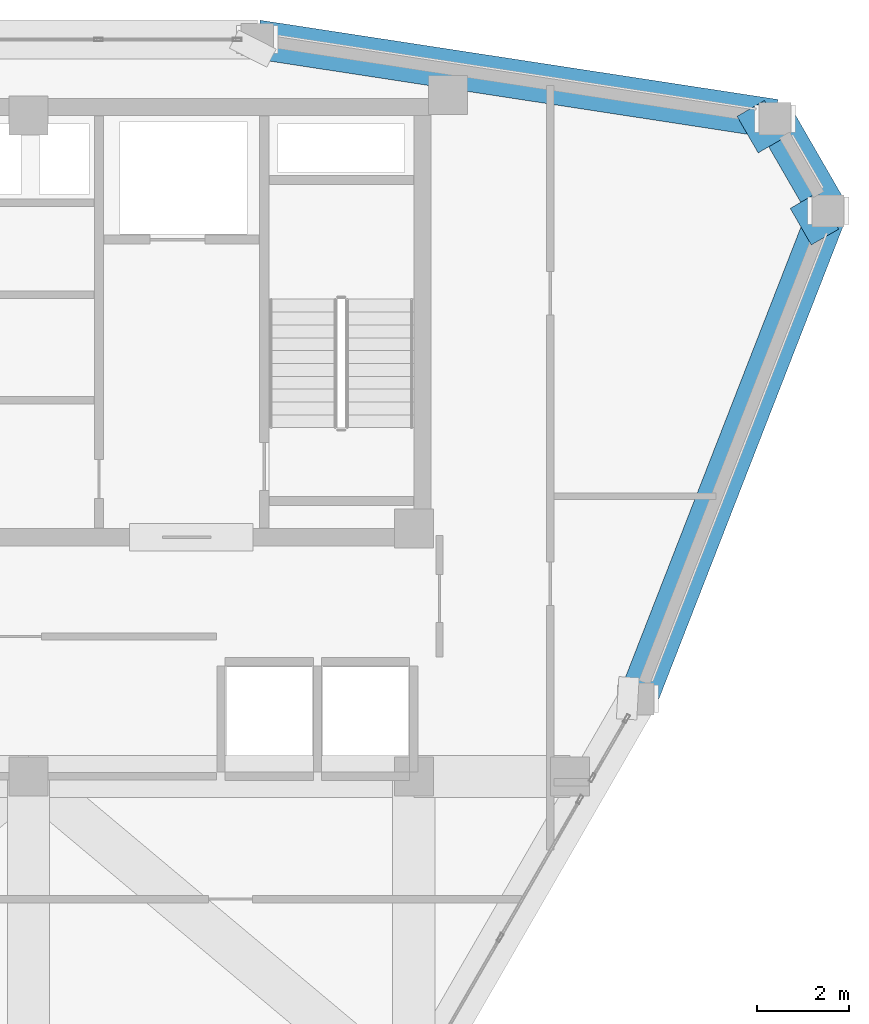
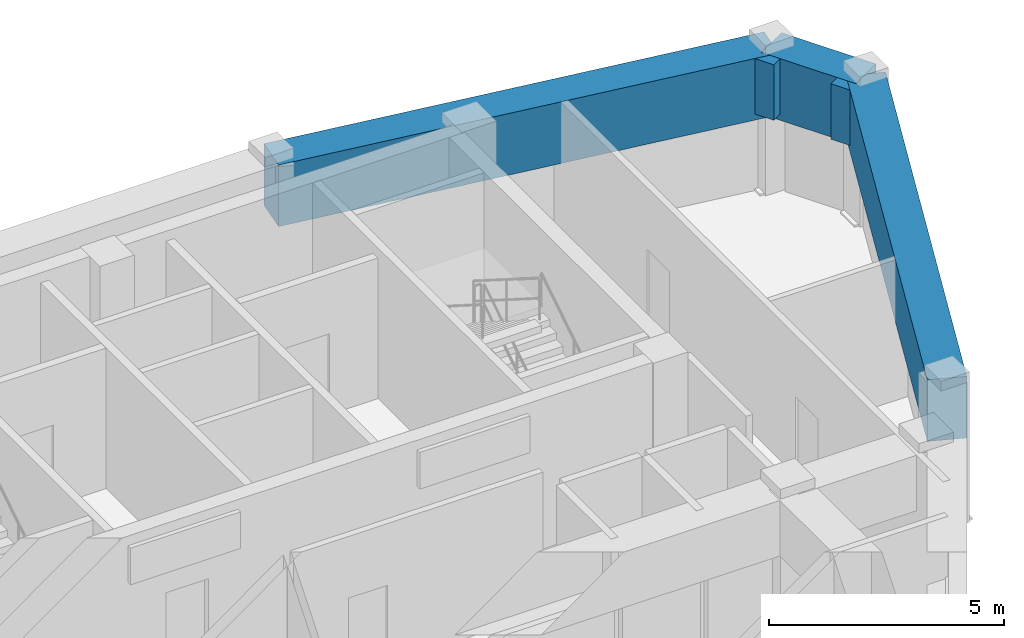
# One storey, part 8 of 13: 5 beams.
"""IFC4 building model written with IfcOpenShell, lengths in metres."""

from ifc_helpers import new_model, si_unit, derived_unit, direction, frame, origin, origin_2d, place, context, subcontext, project, spatial, rectangle, extrude, source, transform, mapped, material, material_profile, profile_set, type_object, element, save


model = new_model("IFC4")

# Units and contexts
model_context = context("Model", 3, precision=1e-05, world=origin(), true_north=direction((0.0, 1.0)))
body_context = subcontext(model_context, "Body", "Model", "MODEL_VIEW")
ifc_project = project(units=[si_unit("LENGTHUNIT", "METRE"), si_unit("AREAUNIT", "SQUARE_METRE"), si_unit("VOLUMEUNIT", "CUBIC_METRE"), si_unit("PLANEANGLEUNIT", "RADIAN"), si_unit("MASSUNIT", "GRAM", prefix="KILO"), derived_unit("THERMALTRANSMITTANCEUNIT", [(si_unit("POWERUNIT", "WATT"), 1), (si_unit("LENGTHUNIT", "METRE"), -2), (si_unit("THERMODYNAMICTEMPERATUREUNIT", "KELVIN"), -1)])], contexts=[model_context])

# Site, building, storey
site_placement = place(None, origin())
site = spatial("IfcSite", under=ifc_project, at=site_placement, CompositionType="ELEMENT")
building_placement = place(site_placement, origin())
building = spatial("IfcBuilding", under=site, at=building_placement, Name="Korsvarv Bourse and Concert Hall", CompositionType="ELEMENT")
storey_placement = place(building_placement, frame((0.0, 0.0, 292.199951171875)))
storey = spatial("IfcBuildingStorey", under=building, at=storey_placement, Name="L76", CompositionType="ELEMENT", Elevation=292.199951171875)

# Beams
ifc_material_1 = material(Name="Concrete C55/67", Category="concrete")
ifc_material_profile_1 = material_profile(ifc_material_1, rectangle(XDim=0.85009765625, YDim=1.60009765625, at=origin_2d()), Name="RC-BM 850x1600")
ifc_profile_set_1 = profile_set([ifc_material_profile_1], Name="Concrete C55/67")
beam_type_1 = type_object("IfcBeamType", Name="BM-TR1B", PredefinedType="BEAM", material=ifc_profile_set_1)
shared_shape_1 = source(origin(), body_context, "Body", "SweptSolid", [
    extrude(rectangle(XDim=0.85009765625, YDim=1.60009765625, at=origin_2d()), origin(), (0.0, 0.0, 1.0), 2.31689453125),
])
beam_placement = place(storey_placement, frame((53.43310546875, 44.727294921875, 2.85009765625), z_axis=(-0.499980886083, 0.866036438928, 0.0), x_axis=(-0.866036438928, -0.499980886083, 0.0)))
element("IfcBeam", 1, at=beam_placement, inside=storey, type_object=beam_type_1, Name="L76 beam B-TR2", PredefinedType="BEAM", context=body_context, shape_type="MappedRepresentation", body=[
    mapped(shared_shape_1, transform((0.0, 0.0, 0.0), scale=1.0)),
])
shared_shape_2 = source(origin(), body_context, "Body", "SweptSolid", [
    extrude(rectangle(XDim=0.85009765625, YDim=1.60009765625, at=origin_2d()), origin(), (0.0, 0.0, 1.0), 11.417236328125),
])
for number, where, z_axis, x_axis, name in (
    (2, (52.274658203125, 46.73388671875, 2.85009765625), (-0.988479724873, 0.151353339953, 0.0), (-0.151353339953, -0.988479724873, 0.0), "L76 beam B-TR2"),
    (3, (49.286865234375, 34.089599609375, 2.85009765625), (0.363158178648, 0.931727501623, 0.0), (-0.931727501623, 0.363158178648, 0.0), "L76 beam B-TR2"),
):
    element("IfcBeam", number, at=place(storey_placement, frame(where, z_axis=z_axis, x_axis=x_axis)), inside=storey, type_object=beam_type_1, Name=name, PredefinedType="BEAM", context=body_context, shape_type="MappedRepresentation", body=[
        mapped(shared_shape_2, transform((0.0, 0.0, 0.0), scale=1.0)),
    ])
ifc_material_2 = material(Name="Concrete C50/60", Category="concrete")
ifc_material_profile_2 = material_profile(ifc_material_2, rectangle(XDim=0.919921875, YDim=1.43994140625, at=origin_2d()), Name="RC-BM 920x1440")
ifc_profile_set_2 = profile_set([ifc_material_profile_2], Name="Concrete C50/60")
beam_type_2 = type_object("IfcBeamType", Name="BM-TR-144", PredefinedType="BEAM", material=ifc_profile_set_2)
shared_shape_3 = source(origin(), body_context, "Body", "SweptSolid", [
    extrude(rectangle(XDim=0.919921875, YDim=1.43994140625, at=origin_2d()), origin(), (0.0, 0.0, 1.0), 0.690185546875),
])
for number, where, z_axis, x_axis, name in (
    (4, (53.43310546875, 44.727294921875, 2.929931640625), (-0.866079547155, -0.499906209203, 0.0), (0.499906209203, -0.866079547155, 0.0), "L76 beam B-TR4"),
    (5, (52.274658203125, 46.73388671875, 2.929931640625), (-0.866079547155, -0.499906209203, 0.0), (0.499906209203, -0.866079547155, 0.0), "L76 beam B-TR4"),
):
    element("IfcBeam", number, at=place(storey_placement, frame(where, z_axis=z_axis, x_axis=x_axis)), inside=storey, type_object=beam_type_2, Name=name, PredefinedType="BEAM", context=body_context, shape_type="MappedRepresentation", body=[
        mapped(shared_shape_3, transform((0.0, 0.0, 0.0), scale=1.0)),
    ])

save(model, "model.ifc")
